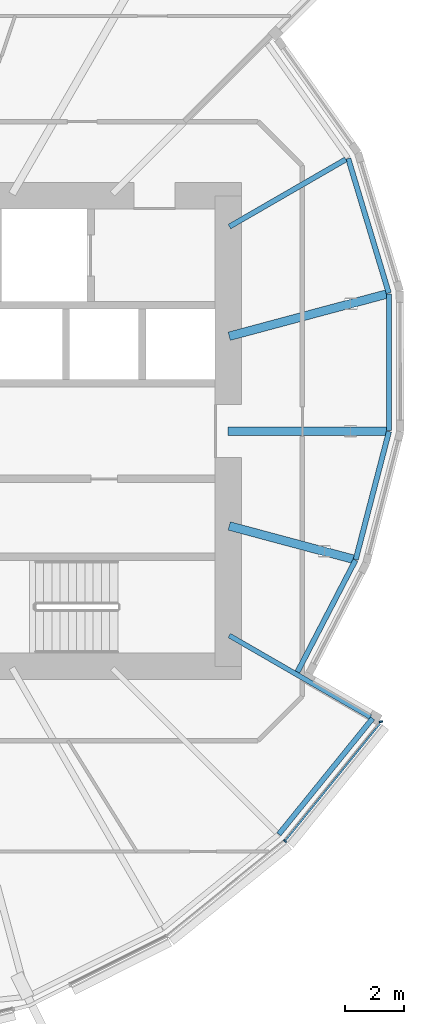
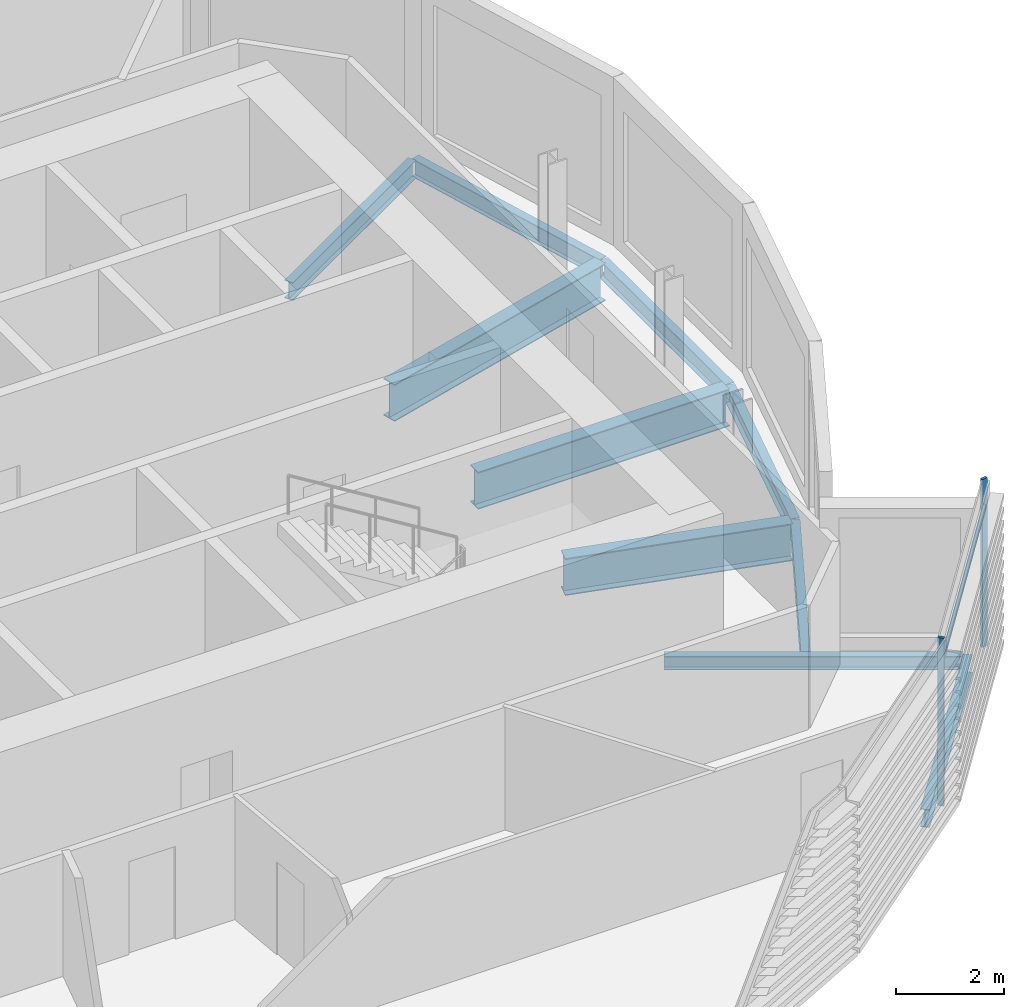
# One storey, part 15 of 36: 10 beams, 3 members, 1 element without a shape of its own.
"""IFC4 building model written with IfcOpenShell, lengths in metres."""

from ifc_helpers import new_model, si_unit, direction, frame, origin, origin_2d, place, context, subcontext, project, spatial, rectangle, i_section, extrude, material, material_profile, profile_set, type_object, element, aggregate, save


model = new_model("IFC4")

# Units and contexts
model_context = context("Model", 3, precision=1e-05, world=origin(), true_north=direction((0.0, 1.0)))
body_context = subcontext(model_context, "Body", "Model", "MODEL_VIEW")
ifc_project = project(units=[si_unit("LENGTHUNIT", "METRE"), si_unit("AREAUNIT", "SQUARE_METRE"), si_unit("VOLUMEUNIT", "CUBIC_METRE"), si_unit("PLANEANGLEUNIT", "RADIAN"), si_unit("MASSUNIT", "GRAM", prefix="KILO")], contexts=[model_context])

# Site, building, storey
site_placement = place(None, origin())
site = spatial("IfcSite", under=ifc_project, at=site_placement, CompositionType="ELEMENT")
building_placement = place(site_placement, origin())
building = spatial("IfcBuilding", under=site, at=building_placement, Name="Rimbun Link Towers", CompositionType="ELEMENT")
storey_placement = place(building_placement, frame((0.0, 0.0, 33.800048828125)))
storey = spatial("IfcBuildingStorey", under=building, at=storey_placement, Name="L07", CompositionType="ELEMENT", Elevation=33.800048828125)

# Curtain wall, members
ifc_material_1 = material(Name="Aluminium 6063-T6 and low-iron glass", Category="aluminium")
curtain_wall_type = type_object("IfcCurtainWallType", Name="CW1 unitised vision wall", PredefinedType="NOTDEFINED", material=ifc_material_1)
curtain_wall_placement = place(storey_placement, origin())
curtain_wall = element("IfcCurtainWall", 1, at=curtain_wall_placement, inside=storey, type_object=curtain_wall_type, Name="CW1 L07 T2", PredefinedType="NOTDEFINED")
ifc_material_2 = material(Name="Aluminium 6063-T6", Category="aluminium")
ifc_material_profile_1 = material_profile(ifc_material_2, rectangle(XDim=0.1201171875, YDim=0.06005859375, at=origin_2d()), Name="MULLION 60X120")
ifc_profile_set_1 = profile_set([ifc_material_profile_1], Name="Aluminium 6063-T6")
member_type_1 = type_object("IfcMemberType", Name="CW1 mullion 60X120", PredefinedType="MULLION", material=ifc_profile_set_1)
member_1_placement = place(storey_placement, frame((45.68994140625, -13.93994140625, 0.0), z_axis=(0.0, 0.0, 1.0), x_axis=(0.707106781187, -0.707106781187, 0.0)))
member_1 = element("IfcMember", 2, at=member_1_placement, type_object=member_type_1, Name="CW1 mullion", PredefinedType="MULLION", context=body_context, shape_type="SweptSolid", body=[
    extrude(rectangle(XDim=0.1201171875, YDim=0.06005859375, at=origin_2d()), origin(), (0.0, 0.0, 1.0), 3.800048828125),
])
member_2_placement = place(storey_placement, frame((48.94677734375, -9.883544921875, 0.0), z_axis=(0.0, 0.0, 1.0), x_axis=(0.983234652014, 0.182344780786, 0.0)))
member_2 = element("IfcMember", 3, at=member_2_placement, type_object=member_type_1, Name="CW1 mullion", PredefinedType="MULLION", context=body_context, shape_type="SweptSolid", body=[
    extrude(rectangle(XDim=0.1201171875, YDim=0.06005859375, at=origin_2d()), origin(), (0.0, 0.0, 1.0), 3.800048828125),
])
ifc_material_3 = material(Name="Aluminium 6063-T6", Category="aluminium")
ifc_material_profile_2 = material_profile(ifc_material_3, rectangle(XDim=0.06005859375, YDim=0.1201171875, at=origin_2d()), Name="TRANSOM 60X120")
ifc_profile_set_2 = profile_set([ifc_material_profile_2], Name="Aluminium 6063-T6")
member_type_2 = type_object("IfcMemberType", Name="CW1 transom 60X120", PredefinedType="USERDEFINED", material=ifc_profile_set_2)
member_3_placement = place(storey_placement, frame((48.9140625, -9.954345703125, 3.199951171875), z_axis=(-0.629136137032, -0.77729513126, 0.0), x_axis=(0.77729513126, -0.629136137032, 0.0)))
member_3 = element("IfcMember", 4, at=member_3_placement, type_object=member_type_2, Name="CW1 transom", ObjectType="TRANSOM", PredefinedType="USERDEFINED", context=body_context, shape_type="SweptSolid", body=[
    extrude(rectangle(XDim=0.06005859375, YDim=0.1201171875, at=origin_2d()), origin(), (0.0, 0.0, 1.0), 5.090087890625),
])
aggregate(curtain_wall, [member_1, member_2, member_3])

# Beams
ifc_material_4 = material(Name="Steel S355J2", Category="steel")
ifc_material_profile_3 = material_profile(ifc_material_4, i_section(OverallWidth=0.1650390625, OverallDepth=0.303466796875, WebThickness=0.006103515625, FlangeThickness=0.01025390625, at=origin_2d()), Name="UB 305x165x40")
ifc_profile_set_3 = profile_set([ifc_material_profile_3], Name="Steel S355J2")
beam_type_1 = type_object("IfcBeamType", Name="UB 305x165x40", PredefinedType="BEAM", material=ifc_profile_set_3)
beam_1_placement = place(storey_placement, frame((43.7919921875, -6.952392578125, -0.311767578125), z_axis=(0.866016055733, -0.50001619095, 0.0), x_axis=(0.50001619095, 0.866016055733, 0.0)))
element("IfcBeam", 5, at=beam_1_placement, inside=storey, type_object=beam_type_1, Name="Radial beam T2 L07 19", PredefinedType="BEAM", context=body_context, shape_type="SweptSolid", body=[
    extrude(i_section(OverallWidth=0.1650390625, OverallDepth=0.303466796875, WebThickness=0.006103515625, FlangeThickness=0.01025390625, at=origin_2d()), origin(), (0.0, 0.0, 1.0), 5.539794921875),
])
ifc_material_5 = material(Name="Steel S355J2", Category="steel")
ifc_material_profile_4 = material_profile(ifc_material_5, i_section(OverallWidth=0.177978515625, OverallDepth=0.406494140625, WebThickness=0.0078125, FlangeThickness=0.0126953125, at=origin_2d()), Name="UB 406x178x60")
ifc_profile_set_4 = profile_set([ifc_material_profile_4], Name="Steel S355J2")
beam_type_2 = type_object("IfcBeamType", Name="UB 406x178x60", PredefinedType="BEAM", material=ifc_profile_set_4)
beam_2_placement = place(storey_placement, frame((43.79541015625, 6.954345703125, -0.36328125), z_axis=(0.866022844324, 0.500004433089, 0.0), x_axis=(-0.500004433089, 0.866022844324, 0.0)))
element("IfcBeam", 6, at=beam_2_placement, inside=storey, type_object=beam_type_2, Name="Radial beam T2 L07 23", PredefinedType="BEAM", context=body_context, shape_type="SweptSolid", body=[
    extrude(i_section(OverallWidth=0.177978515625, OverallDepth=0.406494140625, WebThickness=0.0078125, FlangeThickness=0.0126953125, at=origin_2d()), origin(), (0.0, 0.0, 1.0), 4.57177734375),
])
beam_3_placement = place(storey_placement, frame((45.476318359375, -13.7119140625, -0.36328125), z_axis=(0.629151156334, 0.777282974523, 0.0), x_axis=(-0.777282974523, 0.629151156334, 0.0)))
element("IfcBeam", 7, at=beam_3_placement, inside=storey, type_object=beam_type_2, Name="Edge beam T2 L07 18", PredefinedType="BEAM", context=body_context, shape_type="SweptSolid", body=[
    extrude(i_section(OverallWidth=0.177978515625, OverallDepth=0.406494140625, WebThickness=0.0078125, FlangeThickness=0.0126953125, at=origin_2d()), origin(), (0.0, 0.0, 1.0), 5.072998046875),
])
beam_4_placement = place(storey_placement, frame((46.110595703125, -8.190185546875, -0.36328125), z_axis=(0.460816133871, 0.887495628589, 0.0), x_axis=(-0.887495628589, 0.460816133871, 0.0)))
element("IfcBeam", 8, at=beam_4_placement, inside=storey, type_object=beam_type_2, Name="Edge beam T2 L07 19 recess", PredefinedType="BEAM", context=body_context, shape_type="SweptSolid", body=[
    extrude(i_section(OverallWidth=0.177978515625, OverallDepth=0.406494140625, WebThickness=0.0078125, FlangeThickness=0.0126953125, at=origin_2d()), origin(), (0.0, 0.0, 1.0), 4.283935546875),
])
beam_5_placement = place(storey_placement, frame((48.092529296875, -4.367431640625, -0.36328125), z_axis=(0.251054425117, 0.967972972572, 0.0), x_axis=(-0.967972972572, 0.251054425117, 0.0)))
element("IfcBeam", 9, at=beam_5_placement, inside=storey, type_object=beam_type_2, Name="Edge beam T2 L07 20 recess", PredefinedType="BEAM", context=body_context, shape_type="SweptSolid", body=[
    extrude(i_section(OverallWidth=0.177978515625, OverallDepth=0.406494140625, WebThickness=0.0078125, FlangeThickness=0.0126953125, at=origin_2d()), origin(), (0.0, 0.0, 1.0), 4.49951171875),
])
beam_6_placement = place(storey_placement, frame((49.225341796875, 0.012451171875, -0.36328125), z_axis=(-0.001258850301, 0.999999207648, 0.0), x_axis=(-0.999999207648, -0.001258850301, 0.0)))
element("IfcBeam", 10, at=beam_6_placement, inside=storey, type_object=beam_type_2, Name="Edge beam T2 L07 21 recess", PredefinedType="BEAM", context=body_context, shape_type="SweptSolid", body=[
    extrude(i_section(OverallWidth=0.177978515625, OverallDepth=0.406494140625, WebThickness=0.0078125, FlangeThickness=0.0126953125, at=origin_2d()), origin(), (0.0, 0.0, 1.0), 4.654541015625),
])
beam_7_placement = place(storey_placement, frame((49.21533203125, 4.6943359375, -0.36328125), z_axis=(-0.288369402887, 0.957519236088, 0.0), x_axis=(-0.957519236088, -0.288369402887, 0.0)))
element("IfcBeam", 11, at=beam_7_placement, inside=storey, type_object=beam_type_2, Name="Edge beam T2 L07 22 recess", PredefinedType="BEAM", context=body_context, shape_type="SweptSolid", body=[
    extrude(i_section(OverallWidth=0.177978515625, OverallDepth=0.406494140625, WebThickness=0.0078125, FlangeThickness=0.0126953125, at=origin_2d()), origin(), (0.0, 0.0, 1.0), 4.779296875),
])
ifc_material_6 = material(Name="Steel S355J2", Category="steel")
ifc_material_profile_5 = material_profile(ifc_material_6, i_section(OverallWidth=0.29248046875, OverallDepth=0.8408203125, WebThickness=0.0126953125, FlangeThickness=0.021728515625, at=origin_2d()), Name="UB 838x292x194")
ifc_profile_set_5 = profile_set([ifc_material_profile_5], Name="Steel S355J2")
beam_type_3 = type_object("IfcBeamType", Name="UB 838x292x194", PredefinedType="BEAM", material=ifc_profile_set_5)
beam_8_placement = place(storey_placement, frame((43.788818359375, -3.225830078125, -0.580322265625), z_axis=(0.965933313032, -0.258791102582, 0.0), x_axis=(0.258791102582, 0.965933313032, 0.0)))
element("IfcBeam", 12, at=beam_8_placement, inside=storey, type_object=beam_type_3, Name="Radial beam T2 L07 20", PredefinedType="BEAM", context=body_context, shape_type="SweptSolid", body=[
    extrude(i_section(OverallWidth=0.29248046875, OverallDepth=0.8408203125, WebThickness=0.0126953125, FlangeThickness=0.021728515625, at=origin_2d()), origin(), (0.0, 0.0, 1.0), 4.3623046875),
])
beam_9_placement = place(storey_placement, frame((43.7509765625, 0.0, -0.580322265625), z_axis=(1.0, 0.0, 0.0), x_axis=(0.0, 1.0, 0.0)))
element("IfcBeam", 13, at=beam_9_placement, inside=storey, type_object=beam_type_3, Name="Radial beam T2 L07 21", PredefinedType="BEAM", context=body_context, shape_type="SweptSolid", body=[
    extrude(i_section(OverallWidth=0.29248046875, OverallDepth=0.8408203125, WebThickness=0.0126953125, FlangeThickness=0.021728515625, at=origin_2d()), origin(), (0.0, 0.0, 1.0), 5.3837890625),
])
beam_10_placement = place(storey_placement, frame((43.788818359375, 3.225830078125, -0.580322265625), z_axis=(0.965929533777, 0.258805208173, 0.0), x_axis=(-0.258805208173, 0.965929533777, 0.0)))
element("IfcBeam", 14, at=beam_10_placement, inside=storey, type_object=beam_type_3, Name="Radial beam T2 L07 22", PredefinedType="BEAM", context=body_context, shape_type="SweptSolid", body=[
    extrude(i_section(OverallWidth=0.29248046875, OverallDepth=0.8408203125, WebThickness=0.0126953125, FlangeThickness=0.021728515625, at=origin_2d()), origin(), (0.0, 0.0, 1.0), 5.53173828125),
])

save(model, "model.ifc")
